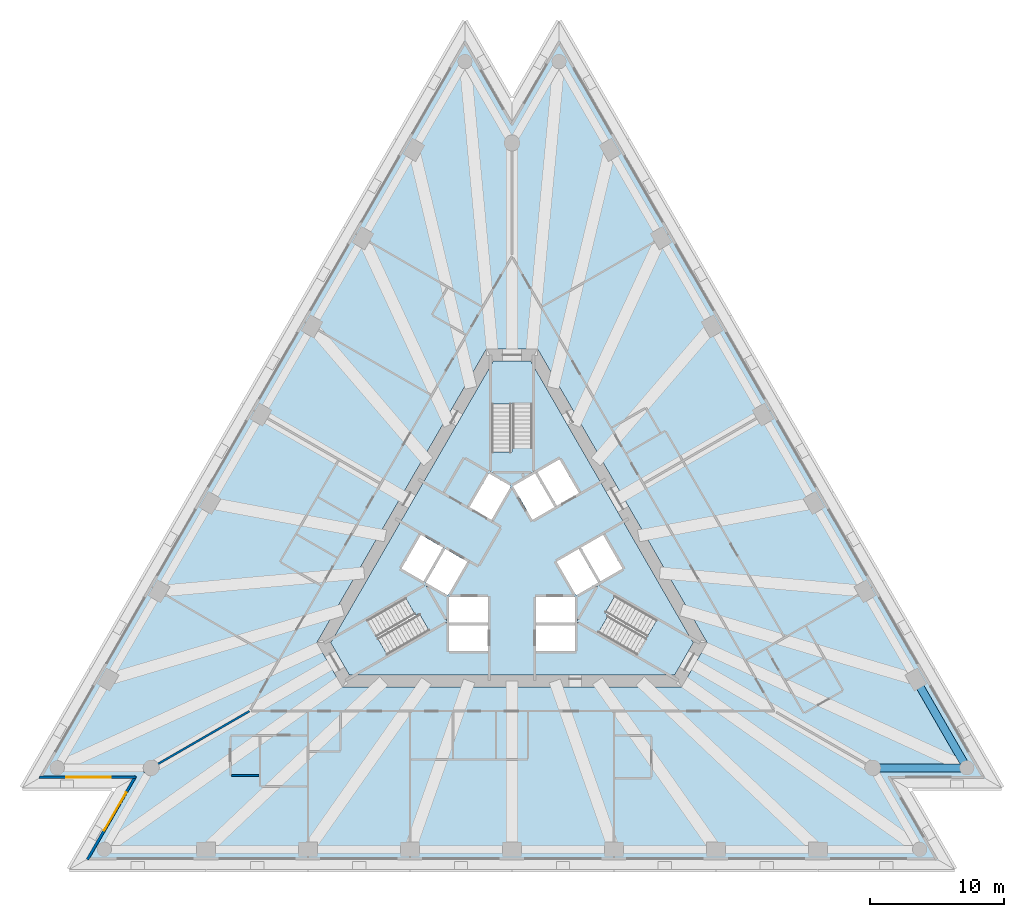
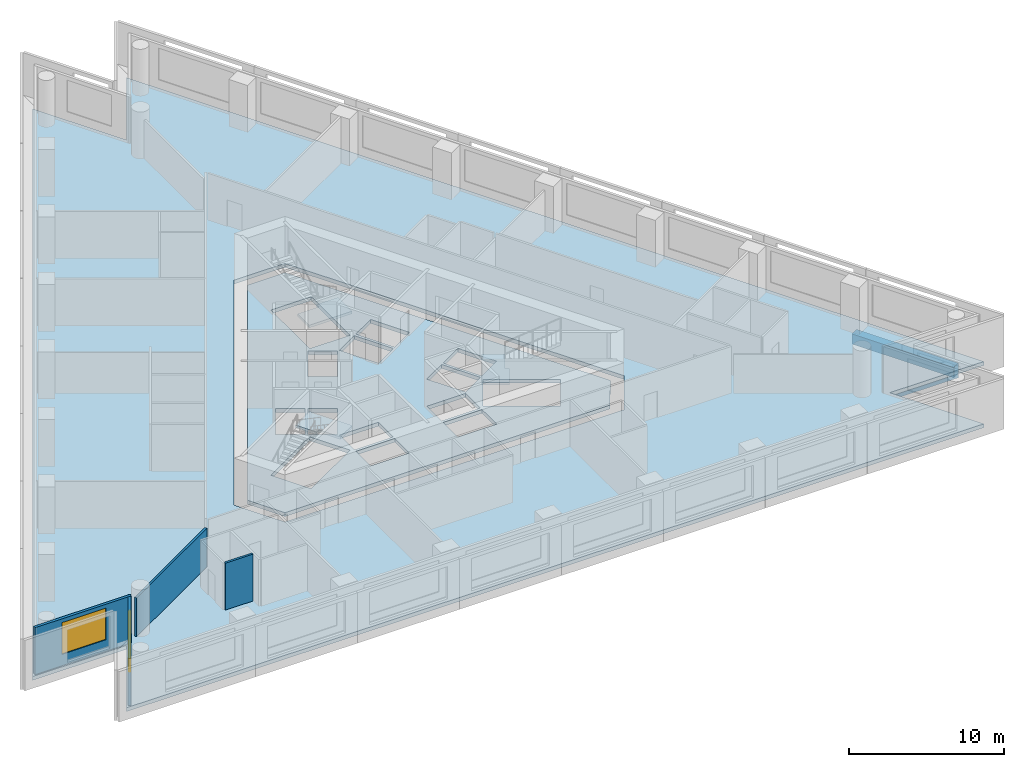
# One storey, part 2 of 11: 5 slabs, 4 walls, 2 beams, 2 windows, 2 openings, 3 elements without a shape of their own.
"""IFC4 building model written with IfcOpenShell, lengths in metres."""

from ifc_helpers import new_model, si_unit, direction, frame, frame_2d, origin, origin_2d, place, context, subcontext, project, spatial, polyline, rectangle, outline, extrude, material, layer, layer_set, layer_usage, material_profile, profile_set, type_object, element, fill, aggregate, save


model = new_model("IFC4")

# Units and contexts
model_context = context("Model", 3, precision=1e-05, world=origin(), true_north=direction((0.0, 1.0)))
body_context = subcontext(model_context, "Body", "Model", "MODEL_VIEW")
ifc_project = project(units=[si_unit("LENGTHUNIT", "METRE"), si_unit("AREAUNIT", "SQUARE_METRE"), si_unit("VOLUMEUNIT", "CUBIC_METRE"), si_unit("PLANEANGLEUNIT", "RADIAN"), si_unit("MASSUNIT", "GRAM", prefix="KILO")], contexts=[model_context])

# Site, building, storey
site_placement = place(None, origin())
site = spatial("IfcSite", under=ifc_project, at=site_placement, CompositionType="ELEMENT")
building_placement = place(site_placement, origin())
building = spatial("IfcBuilding", under=site, at=building_placement, Name="Triada Interchange Tower", CompositionType="ELEMENT")
storey_placement = place(building_placement, frame((0.0, 0.0, 39.300048828125)))
storey = spatial("IfcBuildingStorey", under=building, at=storey_placement, Name="L07", CompositionType="ELEMENT", Elevation=39.300048828125)

# Beams
ifc_material_1 = material(Name="Concrete C50/60", Category="concrete")
ifc_material_profile = material_profile(ifc_material_1, rectangle(XDim=0.60009765625, YDim=0.800048828125, at=origin_2d()), Name="RC 600x800")
ifc_profile_set = profile_set([ifc_material_profile], Name="Concrete C50/60")
beam_type = type_object("IfcBeamType", Name="Spandrel beam A RC 600x800", PredefinedType="BEAM", material=ifc_profile_set)
beam_1_placement = place(storey_placement, frame((26.889892578125, -15.52490234375, -0.699951171875), z_axis=(1.0, 0.0, 0.0), x_axis=(0.0, 1.0, 0.0)))
element("IfcBeam", 1, at=beam_1_placement, inside=storey, type_object=beam_type, Name="Spandrel beam EA20 L07", PredefinedType="BEAM", context=body_context, shape_type="SweptSolid", body=[
    extrude(rectangle(XDim=0.60009765625, YDim=0.800048828125, at=origin_2d()), origin(), (0.0, 0.0, 1.0), 7.01513671875),
])
beam_2_placement = place(storey_placement, frame((33.905029296875, -15.52490234375, -0.699951171875), z_axis=(-0.500060803479, 0.865990296034, 0.0), x_axis=(-0.865990296034, -0.500060803479, 0.0)))
element("IfcBeam", 2, at=beam_2_placement, inside=storey, type_object=beam_type, Name="Spandrel beam EA21 L07", PredefinedType="BEAM", context=body_context, shape_type="SweptSolid", body=[
    extrude(rectangle(XDim=0.60009765625, YDim=0.800048828125, at=origin_2d()), origin(), (0.0, 0.0, 1.0), 7.59912109375),
])

# Slabs
ifc_layer_1 = layer(ifc_material_1, 0.300048828125)
ifc_layer_set_1 = layer_set([ifc_layer_1], Name="Floor slab 300")
slab_type_1 = type_object("IfcSlabType", Name="Floor slab 300", PredefinedType="FLOOR", material=ifc_layer_set_1)
slab_1_placement = place(storey_placement, frame((0.0, 0.0, -0.300048828125)))
element("IfcSlab", 3, at=slab_1_placement, inside=storey, type_object=slab_type_1, Name="Floor slab L07", PredefinedType="FLOOR", context=body_context, shape_type="SweptSolid", body=[
    extrude(outline(polyline([(-3.507080078125, 38.925048828125), (-35.464111328125, -16.425048828125), (-28.448974609375, -16.425048828125), (-31.9560546875, -22.5), (31.9560546875, -22.5), (28.448974609375, -16.425048828125), (35.464111328125, -16.425048828125), (3.507080078125, 38.925048828125), (0.0, 32.85009765625), (-3.507080078125, 38.925048828125)]), holes=[polyline([(1.905029296875, 15.699951171875), (-1.905029296875, 15.699951171875), (-14.549072265625, -6.199951171875), (-12.64404296875, -9.5), (12.64404296875, -9.5), (14.549072265625, -6.199951171875), (1.905029296875, 15.699951171875)])]), origin(), (0.0, 0.0, 1.0), 0.300048828125),
])
slab_2_placement = place(storey_placement, frame((0.0, 0.0, -0.300048828125)))
element("IfcSlab", 4, at=slab_2_placement, inside=storey, type_object=slab_type_1, Name="Core floor slab L07 1", PredefinedType="FLOOR", context=body_context, shape_type="SweptSolid", body=[
    extrude(outline(polyline([(13.510009765625, -6.199951171875), (12.1240234375, -8.60009765625), (-12.1240234375, -8.60009765625), (-13.510009765625, -6.199951171875), (-1.385986328125, 14.800048828125), (1.385986328125, 14.800048828125), (13.510009765625, -6.199951171875)]), holes=[polyline([(9.2958984375, -7.09912109375), (10.7958984375, -4.5009765625), (6.466064453125, -2.0009765625), (4.966064453125, -4.59912109375), (9.2958984375, -7.09912109375)]), polyline([(6.7890625, 1.841064453125), (5.14404296875, 0.89111328125), (6.593994140625, -1.6201171875), (8.239013671875, -0.669921875), (6.7890625, 1.841064453125)]), polyline([(4.969970703125, 0.791015625), (3.324951171875, -0.158935546875), (4.77490234375, -2.669921875), (6.419921875, -1.719970703125), (4.969970703125, 0.791015625)]), polyline([(1.89404296875, 6.52001953125), (3.343994140625, 4.009033203125), (4.989013671875, 4.958984375), (3.5390625, 7.469970703125), (1.89404296875, 6.52001953125)]), polyline([(1.800048828125, -4.89990234375), (1.800048828125, -6.800048828125), (4.699951171875, -6.800048828125), (4.699951171875, -4.89990234375), (1.800048828125, -4.89990234375)]), polyline([(1.800048828125, -2.800048828125), (1.800048828125, -4.031005859375), (1.800048828125, -4.699951171875), (4.699951171875, -4.699951171875), (4.699951171875, -2.800048828125), (1.800048828125, -2.800048828125)]), polyline([(1.52490234375, 2.958984375), (1.68408203125, 3.051025390625), (3.169921875, 3.908935546875), (1.719970703125, 6.419921875), (0.074951171875, 5.469970703125), (1.52490234375, 2.958984375)]), polyline([(1.5, 11.60009765625), (-1.5, 11.60009765625), (-1.5, 6.60009765625), (1.5, 6.60009765625), (1.5, 11.60009765625)]), polyline([(-0.074951171875, 5.469970703125), (-1.719970703125, 6.419921875), (-3.169921875, 3.908935546875), (-1.6298828125, 3.01904296875), (-1.52490234375, 2.958984375), (-0.074951171875, 5.469970703125)]), polyline([(-4.699951171875, -2.800048828125), (-4.699951171875, -4.699951171875), (-1.800048828125, -4.699951171875), (-1.800048828125, -4.031005859375), (-1.800048828125, -2.800048828125), (-4.699951171875, -2.800048828125)]), polyline([(-4.699951171875, -4.89990234375), (-4.699951171875, -6.800048828125), (-1.800048828125, -6.800048828125), (-1.800048828125, -4.89990234375), (-4.699951171875, -4.89990234375)]), polyline([(-4.77490234375, -2.669921875), (-3.324951171875, -0.158935546875), (-4.969970703125, 0.791015625), (-6.419921875, -1.719970703125), (-4.77490234375, -2.669921875)]), polyline([(-10.7958984375, -4.5009765625), (-9.2958984375, -7.09912109375), (-4.966064453125, -4.59912109375), (-6.466064453125, -2.0009765625), (-10.7958984375, -4.5009765625)]), polyline([(-6.593994140625, -1.6201171875), (-5.14404296875, 0.89111328125), (-6.7890625, 1.841064453125), (-8.239013671875, -0.669921875), (-6.593994140625, -1.6201171875)])]), origin(), (0.0, 0.0, 1.0), 0.300048828125),
])

# Stair, slab
ifc_material_2 = material(Name="Concrete C35/45", Category="concrete")
stair_type = type_object("IfcStairType", Name="HALF TURN STAIR 1400", PredefinedType="HALF_TURN_STAIR", material=ifc_material_2)
stair_1_placement = place(storey_placement, origin())
stair_1 = element("IfcStair", 5, at=stair_1_placement, inside=storey, type_object=stair_type, Name="Exit stair S06-1", PredefinedType="HALF_TURN_STAIR")
ifc_layer_2 = layer(ifc_material_2, 0.199951171875)
ifc_layer_set_2 = layer_set([ifc_layer_2], Name="STAIR LANDING 200")
slab_type_2 = type_object("IfcSlabType", Name="STAIR LANDING 200", PredefinedType="LANDING", material=ifc_layer_set_2)
slab_3_placement = place(storey_placement, frame((0.0, 0.0, 1.719970703125)))
slab_3 = element("IfcSlab", 6, at=slab_3_placement, type_object=slab_type_2, Name="S06-1 landing 1", PredefinedType="LANDING", context=body_context, shape_type="SweptSolid", body=[
    extrude(outline(polyline([(1.60009765625, 6.5), (1.60009765625, 8.300048828125), (0.0, 8.300048828125), (0.0, 8.0), (-1.60009765625, 8.0), (-1.60009765625, 6.5), (1.60009765625, 6.5)])), origin(), (0.0, 0.0, 1.0), 0.199951171875),
])
aggregate(stair_1, [slab_3])

stair_2_placement = place(storey_placement, origin())
stair_2 = element("IfcStair", 7, at=stair_2_placement, inside=storey, type_object=stair_type, Name="Exit stair S06-2", PredefinedType="HALF_TURN_STAIR")
slab_4_placement = place(storey_placement, frame((0.0, 0.0, 1.719970703125)))
slab_4 = element("IfcSlab", 8, at=slab_4_placement, type_object=slab_type_2, Name="S06-2 landing 1", PredefinedType="LANDING", context=body_context, shape_type="SweptSolid", body=[
    extrude(outline(polyline([(-6.428955078125, -1.864013671875), (-7.988037109375, -2.763916015625), (-7.18798828125, -4.14990234375), (-6.927978515625, -4.0), (-6.1279296875, -5.385986328125), (-4.8291015625, -4.635986328125), (-6.428955078125, -1.864013671875)])), origin(), (0.0, 0.0, 1.0), 0.199951171875),
])
aggregate(stair_2, [slab_4])

stair_3_placement = place(storey_placement, origin())
stair_3 = element("IfcStair", 9, at=stair_3_placement, inside=storey, type_object=stair_type, Name="Exit stair S06-3", PredefinedType="HALF_TURN_STAIR")
slab_5_placement = place(storey_placement, frame((0.0, 0.0, 1.719970703125)))
slab_5 = element("IfcSlab", 10, at=slab_5_placement, type_object=slab_type_2, Name="S06-3 landing 1", PredefinedType="LANDING", context=body_context, shape_type="SweptSolid", body=[
    extrude(outline(polyline([(4.8291015625, -4.635986328125), (6.387939453125, -5.535888671875), (7.18798828125, -4.14990234375), (6.927978515625, -4.0), (7.72802734375, -2.614013671875), (6.428955078125, -1.864013671875), (4.8291015625, -4.635986328125)])), origin(), (0.0, 0.0, 1.0), 0.199951171875),
])
aggregate(stair_3, [slab_5])

# Wall, opening, window
ifc_material_3 = material(Name="Cement board")
ifc_layer_3 = layer(ifc_material_3, 0.02001953125, Name="Cement board cladding")
ifc_material_4 = material(Name="Sheathing board")
ifc_layer_4 = layer(ifc_material_4, 0.014892578125, Name="Sheathing board")
ifc_material_5 = material(Name="Mineral wool")
ifc_layer_5 = layer(ifc_material_5, 0.14990234375, Name="Mineral wool between steel studs")
ifc_material_6 = material(Name="Gypsum board")
ifc_layer_6 = layer(ifc_material_6, 0.014892578125, Name="Plasterboard lining")
ifc_layer_set_3 = layer_set([ifc_layer_3, ifc_layer_4, ifc_layer_5, ifc_layer_6], Name="External wall 200")
ifc_layer_usage = layer_usage(ifc_layer_set_3, "AXIS2", "POSITIVE", -0.10009765625)
wall_type_1 = type_object("IfcWallType", Name="External wall 200", PredefinedType="ELEMENTEDWALL", material=ifc_layer_set_3)
wall_1_placement = place(storey_placement, frame((-35.2080078125, -16.22509765625, 0.0), z_axis=(0.0, 0.0, 1.0), x_axis=(1.0, 0.0, 0.0)))
wall_1 = element("IfcWall", 11, at=wall_1_placement, inside=storey, type_object=wall_type_1, material=ifc_layer_usage, Name="External wall L07 SW-1", PredefinedType="ELEMENTEDWALL", context=body_context, shape_type="SweptSolid", body=[
    extrude(rectangle(XDim=7.175048828125, YDim=0.199951171875, at=frame_2d((3.58740234375, 0.0))), origin(), (0.0, 0.0, 1.0), 3.699951171875),
])
opening_1_placement = place(wall_1_placement, frame((1.989990234375, 0.0, 0.89990234375)))
opening_1 = element("IfcOpeningElement", 12, at=opening_1_placement, cuts=wall_1, Name="Opening WA09", PredefinedType="OPENING", context=body_context, shape_type="SweptSolid", body=[
    extrude(rectangle(XDim=3.300048828125, YDim=2.5, at=frame_2d((1.64990234375, 1.25))), frame((0.0, 0.10986328125, 0.0), z_axis=(0.0, -1.0, 0.0), x_axis=(1.0, 0.0, 0.0)), (0.0, 0.0, 1.0), 0.219970703125),
])
ifc_material_7 = material(Name="Double glazed aluminium window", Category="aluminium")
window_type = type_object("IfcWindowType", Name="Ribbon window A pocket", PartitioningType="SINGLE_PANEL", PredefinedType="WINDOW", material=ifc_material_7)
window_1_placement = place(opening_1_placement, origin())
window_1 = element("IfcWindow", 13, at=window_1_placement, inside=storey, type_object=window_type, Name="Window L07 SW-1 1", OverallHeight=2.5, OverallWidth=3.300048828125, PartitioningType="SINGLE_PANEL", PredefinedType="WINDOW", context=body_context, shape_type="SweptSolid", body=[
    extrude(rectangle(XDim=3.300048828125, YDim=2.5, at=frame_2d((1.64990234375, 1.25))), frame((0.0, 0.030029296875, 0.0), z_axis=(0.0, -1.0, 0.0), x_axis=(1.0, 0.0, 0.0)), (0.0, 0.0, 1.0), 0.06005859375),
])
fill(opening_1, window_1)

wall_2_placement = place(storey_placement, frame((-28.05810546875, -16.14697265625, 0.0), z_axis=(0.0, 0.0, 1.0), x_axis=(-0.499915874128, -0.866073968431, 0.0)))
wall_2 = element("IfcWall", 14, at=wall_2_placement, inside=storey, type_object=wall_type_1, material=ifc_layer_usage, Name="External wall L07 SW-2", PredefinedType="ELEMENTEDWALL", context=body_context, shape_type="SweptSolid", body=[
    extrude(rectangle(XDim=7.175048828125, YDim=0.199951171875, at=frame_2d((3.58740234375, 0.0))), origin(), (0.0, 0.0, 1.0), 3.699951171875),
])
opening_2_placement = place(wall_2_placement, frame((1.389892578125, 0.0, 0.89990234375)))
opening_2 = element("IfcOpeningElement", 15, at=opening_2_placement, cuts=wall_2, Name="Opening WA10", PredefinedType="OPENING", context=body_context, shape_type="SweptSolid", body=[
    extrude(rectangle(XDim=3.300048828125, YDim=2.5, at=frame_2d((1.64990234375, 1.25))), frame((0.0, 0.10986328125, 0.0), z_axis=(0.0, -1.0, 0.0), x_axis=(1.0, 0.0, 0.0)), (0.0, 0.0, 1.0), 0.219970703125),
])
window_2_placement = place(opening_2_placement, origin())
window_2 = element("IfcWindow", 16, at=window_2_placement, inside=storey, type_object=window_type, Name="Window L07 SW-2 1", OverallHeight=2.5, OverallWidth=3.300048828125, PartitioningType="SINGLE_PANEL", PredefinedType="WINDOW", context=body_context, shape_type="SweptSolid", body=[
    extrude(rectangle(XDim=3.300048828125, YDim=2.5, at=frame_2d((1.64990234375, 1.25))), frame((0.0, 0.030029296875, 0.0), z_axis=(0.0, -1.0, 0.0), x_axis=(1.0, 0.0, 0.0)), (0.0, 0.0, 1.0), 0.06005859375),
])
fill(opening_2, window_2)

# Walls
ifc_material_8 = material(Name="Gypsum board partition")
ifc_layer_7 = layer(ifc_material_8, 0.14990234375)
ifc_layer_set_4 = layer_set([ifc_layer_7], Name="PARTITION 150 EI 180")
wall_type_2 = type_object("IfcWallType", Name="PARTITION 150 EI 180", PredefinedType="PARTITIONING", material=ifc_layer_set_4)
wall_3_placement = place(storey_placement, frame((-27.427001953125, -15.8349609375, 0.0), z_axis=(0.0, 0.0, 1.0), x_axis=(0.866033184421, 0.499986523299, 0.0)))
element("IfcWall", 17, at=wall_3_placement, inside=storey, type_object=wall_type_2, Name="Wall L06 1", PredefinedType="PARTITIONING", context=body_context, shape_type="SweptSolid", body=[
    extrude(rectangle(XDim=9.070068359375, YDim=0.14990234375, at=frame_2d((4.53515625, 0.0))), origin(), (0.0, 0.0, 1.0), 3.050048828125),
])
ifc_layer_8 = layer(ifc_material_8, 0.14990234375)
ifc_layer_set_5 = layer_set([ifc_layer_8], Name="PARTITION 150 EI 90")
wall_type_3 = type_object("IfcWallType", Name="PARTITION 150 EI 90", PredefinedType="PARTITIONING", material=ifc_layer_set_5)
wall_4_placement = place(storey_placement, frame((-20.923095703125, -16.10009765625, 0.0), z_axis=(0.0, 0.0, 1.0), x_axis=(1.0, 0.0, 0.0)))
element("IfcWall", 18, at=wall_4_placement, inside=storey, type_object=wall_type_3, Name="Wall L06 37", PredefinedType="PARTITIONING", context=body_context, shape_type="SweptSolid", body=[
    extrude(rectangle(XDim=2.050048828125, YDim=0.14990234375, at=frame_2d((1.02490234375, 0.0))), origin(), (0.0, 0.0, 1.0), 3.699951171875),
])

save(model, "model.ifc")
